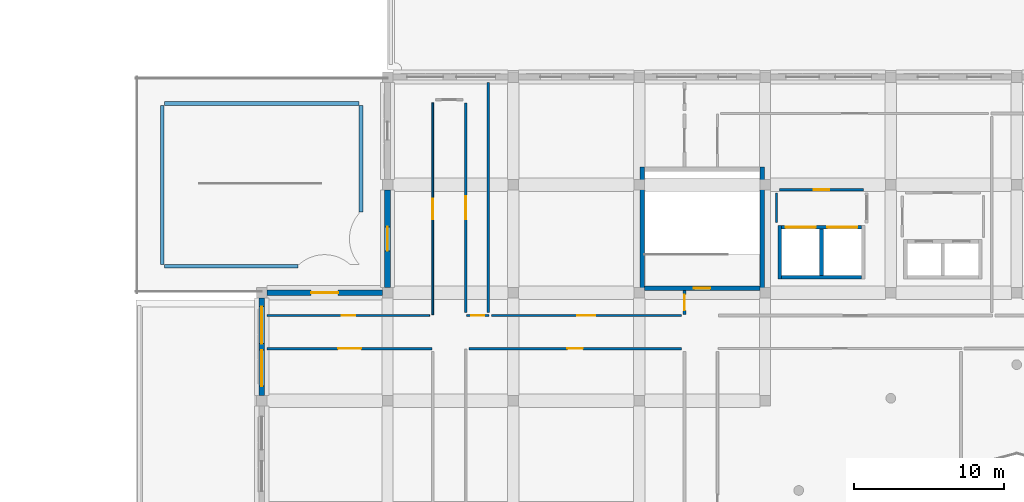
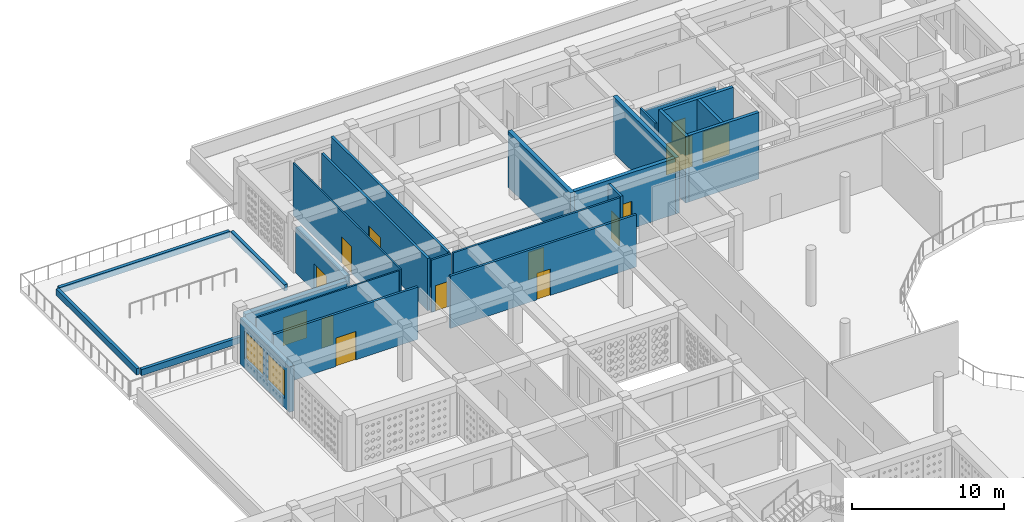
# One storey, part 12 of 47: 25 walls, 14 doors, 2 windows, 16 openings.
"""IFC4 building model written with IfcOpenShell, lengths in metres."""

from ifc_helpers import new_model, si_unit, derived_unit, direction, frame, frame_2d, origin, place, context, subcontext, project, spatial, rectangle, extrude, material, layer, layer_set, type_object, element, fill, save


model = new_model("IFC4")

# Units and contexts
model_context = context("Model", 3, precision=1e-05, world=origin(), true_north=direction((0.0, 1.0)))
body_context = subcontext(model_context, "Body", "Model", "MODEL_VIEW")
ifc_project = project(units=[si_unit("LENGTHUNIT", "METRE"), si_unit("AREAUNIT", "SQUARE_METRE"), si_unit("VOLUMEUNIT", "CUBIC_METRE"), si_unit("PLANEANGLEUNIT", "RADIAN"), si_unit("MASSUNIT", "GRAM", prefix="KILO"), derived_unit("THERMALTRANSMITTANCEUNIT", [(si_unit("POWERUNIT", "WATT"), 1), (si_unit("LENGTHUNIT", "METRE"), -2), (si_unit("THERMODYNAMICTEMPERATUREUNIT", "KELVIN"), -1)])], contexts=[model_context])

# Site, building, storey
site_placement = place(None, origin())
site = spatial("IfcSite", under=ifc_project, at=site_placement, CompositionType="ELEMENT")
building_placement = place(site_placement, origin())
building = spatial("IfcBuilding", under=site, at=building_placement, Name="Veybourne Emporium", CompositionType="ELEMENT")
storey_placement = place(building_placement, frame((0.0, 0.0, 23.39990234375)))
storey = spatial("IfcBuildingStorey", under=building, at=storey_placement, Name="L05", CompositionType="ELEMENT", Elevation=23.39990234375)

# Wall, opening, door
ifc_material_1 = material(Name="Portland Limestone Ashlar", Category="masonry")
ifc_layer_1 = layer(ifc_material_1, 0.3798828125)
ifc_layer_set_1 = layer_set([ifc_layer_1], Name="Portland Limestone Ashlar")
wall_type_1 = type_object("IfcWallType", Name="ExtWall_EW-03", PredefinedType="SOLIDWALL", material=ifc_layer_set_1)
wall_1_placement = place(storey_placement, frame((25.550048828125, 72.0, 0.0), z_axis=(0.0, 0.0, 1.0), x_axis=(1.0, 0.0, 0.0)))
wall_1 = element("IfcWall", 1, at=wall_1_placement, inside=storey, type_object=wall_type_1, Name="L05 terrace facade wall 018", PredefinedType="SOLIDWALL", context=body_context, shape_type="SweptSolid", body=[
    extrude(rectangle(XDim=7.699951171875, YDim=0.3798828125, at=frame_2d((3.85009765625, 0.0))), origin(), (0.0, 0.0, 1.0), 3.66015625),
])
opening_1_placement = place(wall_1_placement, frame((2.949951171875, 0.0, 0.0)))
opening_1 = element("IfcOpeningElement", 2, at=opening_1_placement, cuts=wall_1, Name="Opening TD-01", PredefinedType="OPENING", context=body_context, shape_type="SweptSolid", body=[
    extrude(rectangle(XDim=1.800048828125, YDim=2.25, at=frame_2d((0.89990234375, 1.125))), frame((0.0, 0.2099609375, 0.0), z_axis=(0.0, -1.0, 0.0), x_axis=(1.0, 0.0, 0.0)), (0.0, 0.0, 1.0), 0.419921875),
])
ifc_material_2 = material(Name="Patinated Architectural Bronze", Category="bronze")
door_type_1 = type_object("IfcDoorType", Name="TerrDoor_TD-01", OperationType="NOTDEFINED", PredefinedType="DOOR", material=ifc_material_2)
door_1_placement = place(opening_1_placement, origin())
door_1 = element("IfcDoor", 3, at=door_1_placement, inside=storey, type_object=door_type_1, Name="L05 roof-garden terrace door 01", OperationType="SINGLE_SWING_RIGHT", OverallHeight=2.25, OverallWidth=1.800048828125, PredefinedType="DOOR", context=body_context, shape_type="SweptSolid", body=[
    extrude(rectangle(XDim=1.800048828125, YDim=2.25, at=frame_2d((0.89990234375, 1.125))), frame((0.0, 0.02490234375, 0.0), z_axis=(0.0, -1.0, 0.0), x_axis=(1.0, 0.0, 0.0)), (0.0, 0.0, 1.0), 0.050048828125),
])
fill(opening_1, door_1)

# Wall, openings, windows
wall_2_placement = place(storey_placement, frame((25.199951171875, 65.14990234375, 0.0), z_axis=(0.0, 0.0, 1.0), x_axis=(0.0, 1.0, 0.0)))
wall_2 = element("IfcWall", 4, at=wall_2_placement, inside=storey, type_object=wall_type_1, Name="L05 Portland stone external wall 019", PredefinedType="SOLIDWALL", context=body_context, shape_type="SweptSolid", body=[
    extrude(rectangle(XDim=6.5, YDim=0.3798828125, at=frame_2d((3.25, 0.0))), origin(), (0.0, 0.0, 1.0), 3.66015625),
])
opening_2_placement = place(wall_2_placement, frame((0.6201171875, 0.0, 0.75)))
opening_2 = element("IfcOpeningElement", 5, at=opening_2_placement, cuts=wall_2, Name="Opening W-23", PredefinedType="OPENING", context=body_context, shape_type="SweptSolid", body=[
    extrude(rectangle(XDim=2.39990234375, YDim=2.260009765625, at=frame_2d((1.199951171875, 1.1298828125))), frame((0.0, 0.2099609375, 0.0), z_axis=(0.0, -1.0, 0.0), x_axis=(1.0, 0.0, 0.0)), (0.0, 0.0, 1.0), 0.419921875),
])
opening_3_placement = place(wall_2_placement, frame((3.445068359375, 0.0, 0.75)))
opening_3 = element("IfcOpeningElement", 6, at=opening_3_placement, cuts=wall_2, Name="Opening W-24", PredefinedType="OPENING", context=body_context, shape_type="SweptSolid", body=[
    extrude(rectangle(XDim=2.469970703125, YDim=2.260009765625, at=frame_2d((1.23486328125, 1.1298828125))), frame((0.0, 0.2099609375, 0.0), z_axis=(0.0, -1.0, 0.0), x_axis=(1.0, 0.0, 0.0)), (0.0, 0.0, 1.0), 0.419921875),
])
ifc_material_3 = material(Name="Low-E Triple Glazing", Category="glass")
window_type_1 = type_object("IfcWindowType", Name="Win_W-23", PartitioningType="TRIPLE_PANEL_VERTICAL", PredefinedType="WINDOW", material=ifc_material_3)
window_1_placement = place(opening_2_placement, origin())
window_1 = element("IfcWindow", 7, at=window_1_placement, inside=storey, type_object=window_type_1, Name="L05 tripartite bronze casement window W-23 (19.1)", OverallHeight=2.260009765625, OverallWidth=2.39990234375, PartitioningType="TRIPLE_PANEL_VERTICAL", PredefinedType="WINDOW", context=body_context, shape_type="SweptSolid", body=[
    extrude(rectangle(XDim=2.39990234375, YDim=2.260009765625, at=frame_2d((1.199951171875, 1.1298828125))), frame((0.0, 0.030029296875, 0.0), z_axis=(0.0, -1.0, 0.0), x_axis=(1.0, 0.0, 0.0)), (0.0, 0.0, 1.0), 0.06005859375),
])
fill(opening_2, window_1)
window_type_2 = type_object("IfcWindowType", Name="Win_W-24", PartitioningType="TRIPLE_PANEL_VERTICAL", PredefinedType="WINDOW", material=ifc_material_3)
window_2_placement = place(opening_3_placement, origin())
window_2 = element("IfcWindow", 8, at=window_2_placement, inside=storey, type_object=window_type_2, Name="L05 tripartite bronze casement window W-24 (19.2)", OverallHeight=2.260009765625, OverallWidth=2.469970703125, PartitioningType="TRIPLE_PANEL_VERTICAL", PredefinedType="WINDOW", context=body_context, shape_type="SweptSolid", body=[
    extrude(rectangle(XDim=2.469970703125, YDim=2.260009765625, at=frame_2d((1.23486328125, 1.1298828125))), frame((0.0, 0.030029296875, 0.0), z_axis=(0.0, -1.0, 0.0), x_axis=(1.0, 0.0, 0.0)), (0.0, 0.0, 1.0), 0.06005859375),
])
fill(opening_3, window_2)

# Wall, opening, door
wall_3_placement = place(storey_placement, frame((33.60009765625, 72.35009765625, 0.0), z_axis=(0.0, 0.0, 1.0), x_axis=(0.0, 1.0, 0.0)))
wall_3 = element("IfcWall", 9, at=wall_3_placement, inside=storey, type_object=wall_type_1, Name="L05 terrace facade wall 023", PredefinedType="SOLIDWALL", context=body_context, shape_type="SweptSolid", body=[
    extrude(rectangle(XDim=6.5, YDim=0.3798828125, at=frame_2d((3.25, 0.0))), origin(), (0.0, 0.0, 1.0), 3.66015625),
])
opening_4_placement = place(wall_3_placement, frame((2.449951171875, 0.0, 0.0)))
opening_4 = element("IfcOpeningElement", 10, at=opening_4_placement, cuts=wall_3, Name="Opening TD-02", PredefinedType="OPENING", context=body_context, shape_type="SweptSolid", body=[
    extrude(rectangle(XDim=1.60009765625, YDim=2.199951171875, at=frame_2d((0.800048828125, 1.10009765625))), frame((0.0, 0.2099609375, 0.0), z_axis=(0.0, -1.0, 0.0), x_axis=(1.0, 0.0, 0.0)), (0.0, 0.0, 1.0), 0.419921875),
])
door_type_2 = type_object("IfcDoorType", Name="TerrDoor_TD-02", OperationType="NOTDEFINED", PredefinedType="DOOR", material=ifc_material_2)
door_2_placement = place(opening_4_placement, origin())
door_2 = element("IfcDoor", 11, at=door_2_placement, inside=storey, type_object=door_type_2, Name="L05 roof-garden terrace door 02", OperationType="SINGLE_SWING_LEFT", OverallHeight=2.199951171875, OverallWidth=1.60009765625, PredefinedType="DOOR", context=body_context, shape_type="SweptSolid", body=[
    extrude(rectangle(XDim=1.60009765625, YDim=2.199951171875, at=frame_2d((0.800048828125, 1.10009765625))), frame((0.0, 0.02490234375, 0.0), z_axis=(0.0, -1.0, 0.0), x_axis=(1.0, 0.0, 0.0)), (0.0, 0.0, 1.0), 0.050048828125),
])
fill(opening_4, door_2)

# Walls
ifc_material_4 = material(Name="Precast concrete C40/50", Category="concrete")
ifc_layer_2 = layer(ifc_material_4, 0.239990234375)
ifc_layer_set_2 = layer_set([ifc_layer_2], Name="Precast concrete C40/50")
wall_type_2 = type_object("IfcWallType", Name="ExtWall_PW-02", PredefinedType="PARAPET", material=ifc_layer_set_2)
wall_4_placement = place(storey_placement, frame((27.621826171875, 73.77001953125, 0.0), z_axis=(0.0, 0.0, 1.0), x_axis=(-1.0, 0.0, 0.0)))
element("IfcWall", 12, at=wall_4_placement, inside=storey, type_object=wall_type_2, Name="L05 planted roof-garden kerb 001", PredefinedType="PARAPET", context=body_context, shape_type="SweptSolid", body=[
    extrude(rectangle(XDim=8.921875, YDim=0.239990234375, at=frame_2d((4.4609375, 0.0))), origin(), (0.0, 0.0, 1.0), 0.5),
])
wall_5_placement = place(storey_placement, frame((18.570068359375, 73.89990234375, 0.0), z_axis=(0.0, 0.0, 1.0), x_axis=(0.0, 1.0, 0.0)))
element("IfcWall", 13, at=wall_5_placement, inside=storey, type_object=wall_type_2, Name="L05 planted roof-garden kerb 002", PredefinedType="PARAPET", context=body_context, shape_type="SweptSolid", body=[
    extrude(rectangle(XDim=10.60009765625, YDim=0.239990234375, at=frame_2d((5.300048828125, 0.0))), origin(), (0.0, 0.0, 1.0), 0.5),
])
wall_6_placement = place(storey_placement, frame((18.699951171875, 84.6298828125, 0.0), z_axis=(0.0, 0.0, 1.0), x_axis=(1.0, 0.0, 0.0)))
element("IfcWall", 14, at=wall_6_placement, inside=storey, type_object=wall_type_2, Name="L05 planted roof-garden kerb 003", PredefinedType="PARAPET", context=body_context, shape_type="SweptSolid", body=[
    extrude(rectangle(XDim=13.0, YDim=0.239990234375, at=frame_2d((6.5, 0.0))), origin(), (0.0, 0.0, 1.0), 0.5),
])
wall_7_placement = place(storey_placement, frame((31.830078125, 84.5, 0.0), z_axis=(0.0, 0.0, 1.0), x_axis=(0.0, -1.0, 0.0)))
element("IfcWall", 15, at=wall_7_placement, inside=storey, type_object=wall_type_2, Name="L05 planted roof-garden kerb 004", PredefinedType="PARAPET", context=body_context, shape_type="SweptSolid", body=[
    extrude(rectangle(XDim=7.121826171875, YDim=0.239990234375, at=frame_2d((3.56103515625, 0.0))), origin(), (0.0, 0.0, 1.0), 0.5),
])

# Wall, opening, door
ifc_material_5 = material(Name="Concrete C40/50", Category="concrete")
ifc_layer_3 = layer(ifc_material_5, 0.300048828125)
ifc_layer_set_3 = layer_set([ifc_layer_3], Name="Concrete C40/50")
wall_type_3 = type_object("IfcWallType", Name="IntWall_CW-03", PredefinedType="SHEAR", material=ifc_layer_set_3)
wall_8_placement = place(storey_placement, frame((58.449951171875, 72.300048828125, 0.0), z_axis=(0.0, 0.0, 1.0), x_axis=(-1.0, 0.0, 0.0)))
wall_8 = element("IfcWall", 16, at=wall_8_placement, inside=storey, type_object=wall_type_3, Name="Core stair ST-03 south shear wall (L05)", PredefinedType="SHEAR", context=body_context, shape_type="SweptSolid", body=[
    extrude(rectangle(XDim=7.699951171875, YDim=0.300048828125, at=frame_2d((3.85009765625, 0.0))), origin(), (0.0, 0.0, 1.0), 4.5),
])
opening_5_placement = place(wall_8_placement, frame((3.300048828125, 0.0, 0.0)))
opening_5 = element("IfcOpeningElement", 17, at=opening_5_placement, cuts=wall_8, Name="Opening FD-01", PredefinedType="OPENING", context=body_context, shape_type="SweptSolid", body=[
    extrude(rectangle(XDim=1.10009765625, YDim=2.199951171875, at=frame_2d((0.550048828125, 1.10009765625))), frame((0.0, 0.169921875, 0.0), z_axis=(0.0, -1.0, 0.0), x_axis=(1.0, 0.0, 0.0)), (0.0, 0.0, 1.0), 0.340087890625),
])
door_type_3 = type_object("IfcDoorType", Name="FireDoor_FD-01", OperationType="NOTDEFINED", PredefinedType="DOOR", material=ifc_material_2)
door_3_placement = place(opening_5_placement, origin())
door_3 = element("IfcDoor", 18, at=door_3_placement, inside=storey, type_object=door_type_3, Name="Stair ST-03 fire door (L05)", OperationType="SINGLE_SWING_RIGHT", OverallHeight=2.199951171875, OverallWidth=1.10009765625, PredefinedType="DOOR", context=body_context, shape_type="SweptSolid", body=[
    extrude(rectangle(XDim=1.10009765625, YDim=2.199951171875, at=frame_2d((0.550048828125, 1.10009765625))), frame((0.0, 0.02490234375, 0.0), z_axis=(0.0, -1.0, 0.0), x_axis=(1.0, 0.0, 0.0)), (0.0, 0.0, 1.0), 0.050048828125),
])
fill(opening_5, door_3)

# Walls
for number, where, z_axis, x_axis, name in (
    (19, (50.60009765625, 80.39990234375, 0.0), (0.0, 0.0, 1.0), (0.0, -1.0, 0.0), "Core stair ST-03 west shear wall (L05)"),
    (20, (58.60009765625, 72.14990234375, 0.0), (0.0, 0.0, 1.0), (0.0, 1.0, 0.0), "Core stair ST-03 east shear wall (L05)"),
):
    element("IfcWall", number, at=place(storey_placement, frame(where, z_axis=z_axis, x_axis=x_axis)), inside=storey, type_object=wall_type_3, Name=name, PredefinedType="SHEAR", context=body_context, shape_type="SweptSolid", body=[
        extrude(rectangle(XDim=8.25, YDim=0.300048828125, at=frame_2d((4.125, 0.0))), origin(), (0.0, 0.0, 1.0), 4.5),
    ])

# Wall, openings, doors
ifc_layer_4 = layer(ifc_material_5, 0.239990234375)
ifc_layer_set_4 = layer_set([ifc_layer_4], Name="Concrete C40/50")
wall_type_4 = type_object("IfcWallType", Name="IntWall_CW-04", PredefinedType="SHEAR", material=ifc_layer_set_4)
wall_9_placement = place(storey_placement, frame((65.239990234375, 76.3701171875, 0.0), z_axis=(0.0, 0.0, 1.0), x_axis=(-1.0, 0.0, 0.0)))
wall_9 = element("IfcWall", 21, at=wall_9_placement, inside=storey, type_object=wall_type_4, Name="Lift core C4G north shaft wall (L05)", PredefinedType="SHEAR", context=body_context, shape_type="SweptSolid", body=[
    extrude(rectangle(XDim=5.340087890625, YDim=0.239990234375, at=frame_2d((2.669921875, 0.0))), origin(), (0.0, 0.0, 1.0), 5.35009765625),
])
opening_6_placement = place(wall_9_placement, frame((3.06494140625, 0.0, 0.0)))
opening_6 = element("IfcOpeningElement", 22, at=opening_6_placement, cuts=wall_9, Name="Opening LD-03", PredefinedType="OPENING", context=body_context, shape_type="SweptSolid", body=[
    extrude(rectangle(XDim=2.0, YDim=2.5, at=frame_2d((1.0, 1.25))), frame((0.0, 0.14013671875, 0.0), z_axis=(0.0, -1.0, 0.0), x_axis=(1.0, 0.0, 0.0)), (0.0, 0.0, 1.0), 0.280029296875),
])
opening_7_placement = place(wall_9_placement, frame((0.27490234375, 0.0, 0.0)))
opening_7 = element("IfcOpeningElement", 23, at=opening_7_placement, cuts=wall_9, Name="Opening LD-03", PredefinedType="OPENING", context=body_context, shape_type="SweptSolid", body=[
    extrude(rectangle(XDim=2.0, YDim=2.5, at=frame_2d((1.0, 1.25))), frame((0.0, 0.14013671875, 0.0), z_axis=(0.0, -1.0, 0.0), x_axis=(1.0, 0.0, 0.0)), (0.0, 0.0, 1.0), 0.280029296875),
])
door_type_4 = type_object("IfcDoorType", Name="FireDoor_LD-03", OperationType="DOUBLE_DOOR_SLIDING", PredefinedType="DOOR", material=ifc_material_2)
door_4_placement = place(opening_6_placement, origin())
door_4 = element("IfcDoor", 24, at=door_4_placement, inside=storey, type_object=door_type_4, Name="Lift GL-01 sliding landing door (L05)", OperationType="DOUBLE_DOOR_SLIDING", OverallHeight=2.5, OverallWidth=2.0, PredefinedType="DOOR", context=body_context, shape_type="SweptSolid", body=[
    extrude(rectangle(XDim=2.0, YDim=2.5, at=frame_2d((1.0, 1.25))), frame((0.0, 0.02490234375, 0.0), z_axis=(0.0, -1.0, 0.0), x_axis=(1.0, 0.0, 0.0)), (0.0, 0.0, 1.0), 0.050048828125),
])
fill(opening_6, door_4)
door_5_placement = place(opening_7_placement, origin())
door_5 = element("IfcDoor", 25, at=door_5_placement, inside=storey, type_object=door_type_4, Name="Lift GL-02 sliding landing door (L05)", OperationType="DOUBLE_DOOR_SLIDING", OverallHeight=2.5, OverallWidth=2.0, PredefinedType="DOOR", context=body_context, shape_type="SweptSolid", body=[
    extrude(rectangle(XDim=2.0, YDim=2.5, at=frame_2d((1.0, 1.25))), frame((0.0, 0.02490234375, 0.0), z_axis=(0.0, -1.0, 0.0), x_axis=(1.0, 0.0, 0.0)), (0.0, 0.0, 1.0), 0.050048828125),
])
fill(opening_7, door_5)

# Walls
wall_10_placement = place(storey_placement, frame((59.89990234375, 73.030029296875, 0.0), z_axis=(0.0, 0.0, 1.0), x_axis=(1.0, 0.0, 0.0)))
element("IfcWall", 26, at=wall_10_placement, inside=storey, type_object=wall_type_4, Name="Lift core C4G south shaft wall (L05)", PredefinedType="SHEAR", context=body_context, shape_type="SweptSolid", body=[
    extrude(rectangle(XDim=5.340087890625, YDim=0.239990234375, at=frame_2d((2.669921875, 0.0))), origin(), (0.0, 0.0, 1.0), 5.35009765625),
])
wall_11_placement = place(storey_placement, frame((59.780029296875, 76.489990234375, 0.0), z_axis=(0.0, 0.0, 1.0), x_axis=(0.0, -1.0, 0.0)))
element("IfcWall", 27, at=wall_11_placement, inside=storey, type_object=wall_type_4, Name="Lift core C4G west shaft wall (L05)", PredefinedType="SHEAR", context=body_context, shape_type="SweptSolid", body=[
    extrude(rectangle(XDim=3.580078125, YDim=0.239990234375, at=frame_2d((1.7900390625, 0.0))), origin(), (0.0, 0.0, 1.0), 5.35009765625),
])
wall_12_placement = place(storey_placement, frame((62.570068359375, 73.14990234375, 0.0), z_axis=(0.0, 0.0, 1.0), x_axis=(0.0, 1.0, 0.0)))
element("IfcWall", 28, at=wall_12_placement, inside=storey, type_object=wall_type_4, Name="Lift core C4G divider wall 1 (L05)", PredefinedType="SHEAR", context=body_context, shape_type="SweptSolid", body=[
    extrude(rectangle(XDim=3.10009765625, YDim=0.239990234375, at=frame_2d((1.550048828125, 0.0))), origin(), (0.0, 0.0, 1.0), 5.35009765625),
])

# Wall, opening, door
ifc_material_6 = material(Name="Gypsum Acoustic Board", Category="gypsum")
ifc_layer_5 = layer(ifc_material_6, 0.179931640625)
ifc_layer_set_5 = layer_set([ifc_layer_5], Name="Gypsum Acoustic Board")
wall_type_5 = type_object("IfcWallType", Name="IntWall_IW-01", PredefinedType="PARTITIONING", material=ifc_layer_set_5)
wall_13_placement = place(storey_placement, frame((39.0400390625, 68.27001953125, 0.0), z_axis=(0.0, 0.0, 1.0), x_axis=(1.0, 0.0, 0.0)))
wall_13 = element("IfcWall", 29, at=wall_13_placement, inside=storey, type_object=wall_type_5, Name="L05 interior partition IW-01 #018", PredefinedType="PARTITIONING", context=body_context, shape_type="SweptSolid", body=[
    extrude(rectangle(XDim=14.169921875, YDim=0.179931640625, at=frame_2d((7.0849609375, 0.0))), origin(), (0.0, 0.0, 1.0), 4.210205078125),
])
opening_8_placement = place(wall_13_placement, frame((6.56494140625, 0.0, 0.0)))
opening_8 = element("IfcOpeningElement", 30, at=opening_8_placement, cuts=wall_13, Name="Opening D-08", PredefinedType="OPENING", context=body_context, shape_type="SweptSolid", body=[
    extrude(rectangle(XDim=1.0400390625, YDim=2.1298828125, at=frame_2d((0.52001953125, 1.06494140625))), frame((0.0, 0.10986328125, 0.0), z_axis=(0.0, -1.0, 0.0), x_axis=(1.0, 0.0, 0.0)), (0.0, 0.0, 1.0), 0.219970703125),
])
ifc_material_7 = material(Name="European Oak Veneer and Bronze", Category="wood")
door_type_5 = type_object("IfcDoorType", Name="IntDoor_D-08", OperationType="NOTDEFINED", PredefinedType="DOOR", material=ifc_material_7)
door_6_placement = place(opening_8_placement, origin())
door_6 = element("IfcDoor", 31, at=door_6_placement, inside=storey, type_object=door_type_5, Name="L05 interior door D-08 (PART-L05-018)", OperationType="SINGLE_SWING_LEFT", OverallHeight=2.1298828125, OverallWidth=1.0400390625, PredefinedType="DOOR", context=body_context, shape_type="SweptSolid", body=[
    extrude(rectangle(XDim=1.0400390625, YDim=2.1298828125, at=frame_2d((0.52001953125, 1.06494140625))), frame((0.0, 0.02490234375, 0.0), z_axis=(0.0, -1.0, 0.0), x_axis=(1.0, 0.0, 0.0)), (0.0, 0.0, 1.0), 0.050048828125),
])
fill(opening_8, door_6)

wall_14_placement = place(storey_placement, frame((38.830078125, 70.68994140625, 0.0), z_axis=(0.0, 0.0, 1.0), x_axis=(0.0, 1.0, 0.0)))
wall_14 = element("IfcWall", 32, at=wall_14_placement, inside=storey, type_object=wall_type_5, Name="L05 interior partition IW-01 #021", PredefinedType="PARTITIONING", context=body_context, shape_type="SweptSolid", body=[
    extrude(rectangle(XDim=13.97998046875, YDim=0.179931640625, at=frame_2d((6.989990234375, 0.0))), origin(), (0.0, 0.0, 1.0), 4.210205078125),
])
opening_9_placement = place(wall_14_placement, frame((6.22998046875, 0.0, 0.0)))
opening_9 = element("IfcOpeningElement", 33, at=opening_9_placement, cuts=wall_14, Name="Opening D-11", PredefinedType="OPENING", context=body_context, shape_type="SweptSolid", body=[
    extrude(rectangle(XDim=1.52001953125, YDim=2.1298828125, at=frame_2d((0.760009765625, 1.06494140625))), frame((0.0, 0.10986328125, 0.0), z_axis=(0.0, -1.0, 0.0), x_axis=(1.0, 0.0, 0.0)), (0.0, 0.0, 1.0), 0.219970703125),
])
door_type_6 = type_object("IfcDoorType", Name="IntDoor_D-11", OperationType="NOTDEFINED", PredefinedType="DOOR", material=ifc_material_7)
door_7_placement = place(opening_9_placement, origin())
door_7 = element("IfcDoor", 34, at=door_7_placement, inside=storey, type_object=door_type_6, Name="L05 interior door D-11 (PART-L05-021)", OperationType="SINGLE_SWING_RIGHT", OverallHeight=2.1298828125, OverallWidth=1.52001953125, PredefinedType="DOOR", context=body_context, shape_type="SweptSolid", body=[
    extrude(rectangle(XDim=1.52001953125, YDim=2.1298828125, at=frame_2d((0.760009765625, 1.06494140625))), frame((0.0, 0.02490234375, 0.0), z_axis=(0.0, -1.0, 0.0), x_axis=(1.0, 0.0, 0.0)), (0.0, 0.0, 1.0), 0.050048828125),
])
fill(opening_9, door_7)

wall_15_placement = place(storey_placement, frame((25.570068359375, 68.27001953125, 0.0), z_axis=(0.0, 0.0, 1.0), x_axis=(1.0, 0.0, 0.0)))
wall_15 = element("IfcWall", 35, at=wall_15_placement, inside=storey, type_object=wall_type_5, Name="L05 interior partition IW-01 #033", PredefinedType="PARTITIONING", context=body_context, shape_type="SweptSolid", body=[
    extrude(rectangle(XDim=11.0, YDim=0.179931640625, at=frame_2d((5.5, 0.0))), origin(), (0.0, 0.0, 1.0), 4.210205078125),
])
opening_10_placement = place(wall_15_placement, frame((4.739990234375, 0.0, 0.0)))
opening_10 = element("IfcOpeningElement", 36, at=opening_10_placement, cuts=wall_15, Name="Opening D-23", PredefinedType="OPENING", context=body_context, shape_type="SweptSolid", body=[
    extrude(rectangle(XDim=1.52001953125, YDim=2.2900390625, at=frame_2d((0.760009765625, 1.14501953125))), frame((0.0, 0.10986328125, 0.0), z_axis=(0.0, -1.0, 0.0), x_axis=(1.0, 0.0, 0.0)), (0.0, 0.0, 1.0), 0.219970703125),
])
door_type_7 = type_object("IfcDoorType", Name="IntDoor_D-23", OperationType="NOTDEFINED", PredefinedType="DOOR", material=ifc_material_7)
door_8_placement = place(opening_10_placement, origin())
door_8 = element("IfcDoor", 37, at=door_8_placement, inside=storey, type_object=door_type_7, Name="L05 interior door D-23 (PART-L05-033)", OperationType="SINGLE_SWING_LEFT", OverallHeight=2.2900390625, OverallWidth=1.52001953125, PredefinedType="DOOR", context=body_context, shape_type="SweptSolid", body=[
    extrude(rectangle(XDim=1.52001953125, YDim=2.2900390625, at=frame_2d((0.760009765625, 1.14501953125))), frame((0.0, 0.02490234375, 0.0), z_axis=(0.0, -1.0, 0.0), x_axis=(1.0, 0.0, 0.0)), (0.0, 0.0, 1.0), 0.050048828125),
])
fill(opening_10, door_8)

wall_16_placement = place(storey_placement, frame((59.780029296875, 78.8798828125, 0.0), z_axis=(0.0, 0.0, 1.0), x_axis=(1.0, 0.0, 0.0)))
wall_16 = element("IfcWall", 38, at=wall_16_placement, inside=storey, type_object=wall_type_5, Name="L05 interior partition IW-01 #048", PredefinedType="PARTITIONING", context=body_context, shape_type="SweptSolid", body=[
    extrude(rectangle(XDim=5.590087890625, YDim=0.179931640625, at=frame_2d((2.794921875, 0.0))), origin(), (0.0, 0.0, 1.0), 3.760009765625),
])
opening_11_placement = place(wall_16_placement, frame((2.27490234375, 0.0, 0.0)))
opening_11 = element("IfcOpeningElement", 39, at=opening_11_placement, cuts=wall_16, Name="Opening D-02", PredefinedType="OPENING", context=body_context, shape_type="SweptSolid", body=[
    extrude(rectangle(XDim=1.0400390625, YDim=2.050048828125, at=frame_2d((0.52001953125, 1.02490234375))), frame((0.0, 0.10986328125, 0.0), z_axis=(0.0, -1.0, 0.0), x_axis=(1.0, 0.0, 0.0)), (0.0, 0.0, 1.0), 0.219970703125),
])
door_type_8 = type_object("IfcDoorType", Name="IntDoor_D-02", OperationType="NOTDEFINED", PredefinedType="DOOR", material=ifc_material_7)
door_9_placement = place(opening_11_placement, origin())
door_9 = element("IfcDoor", 40, at=door_9_placement, inside=storey, type_object=door_type_8, Name="L05 interior door D-02 (PART-L05-048)", OperationType="SINGLE_SWING_LEFT", OverallHeight=2.050048828125, OverallWidth=1.0400390625, PredefinedType="DOOR", context=body_context, shape_type="SweptSolid", body=[
    extrude(rectangle(XDim=1.0400390625, YDim=2.050048828125, at=frame_2d((0.52001953125, 1.02490234375))), frame((0.0, 0.02490234375, 0.0), z_axis=(0.0, -1.0, 0.0), x_axis=(1.0, 0.0, 0.0)), (0.0, 0.0, 1.0), 0.050048828125),
])
fill(opening_11, door_9)

wall_17_placement = place(storey_placement, frame((53.419921875, 70.530029296875, 0.0), z_axis=(0.0, 0.0, 1.0), x_axis=(0.0, 1.0, 0.0)))
wall_17 = element("IfcWall", 41, at=wall_17_placement, inside=storey, type_object=wall_type_5, Name="L05 interior partition IW-01 #096", PredefinedType="PARTITIONING", context=body_context, shape_type="SweptSolid", body=[
    extrude(rectangle(XDim=1.6298828125, YDim=0.179931640625, at=frame_2d((0.81494140625, 0.0))), origin(), (0.0, 0.0, 1.0), 4.210205078125),
])
opening_12_placement = place(wall_17_placement, frame((0.294921875, 0.0, 0.0)))
opening_12 = element("IfcOpeningElement", 42, at=opening_12_placement, cuts=wall_17, Name="Opening D-14", PredefinedType="OPENING", context=body_context, shape_type="SweptSolid", body=[
    extrude(rectangle(XDim=1.0400390625, YDim=2.2099609375, at=frame_2d((0.52001953125, 1.10498046875))), frame((0.0, 0.10986328125, 0.0), z_axis=(0.0, -1.0, 0.0), x_axis=(1.0, 0.0, 0.0)), (0.0, 0.0, 1.0), 0.219970703125),
])
door_type_9 = type_object("IfcDoorType", Name="IntDoor_D-14", OperationType="NOTDEFINED", PredefinedType="DOOR", material=ifc_material_7)
door_10_placement = place(opening_12_placement, origin())
door_10 = element("IfcDoor", 43, at=door_10_placement, inside=storey, type_object=door_type_9, Name="L05 interior door D-14 (PART-L05-096)", OperationType="SINGLE_SWING_RIGHT", OverallHeight=2.2099609375, OverallWidth=1.0400390625, PredefinedType="DOOR", context=body_context, shape_type="SweptSolid", body=[
    extrude(rectangle(XDim=1.0400390625, YDim=2.2099609375, at=frame_2d((0.52001953125, 1.10498046875))), frame((0.0, 0.02490234375, 0.0), z_axis=(0.0, -1.0, 0.0), x_axis=(1.0, 0.0, 0.0)), (0.0, 0.0, 1.0), 0.050048828125),
])
fill(opening_12, door_10)

# Wall
wall_18_placement = place(storey_placement, frame((40.330078125, 70.68994140625, 0.0), z_axis=(0.0, 0.0, 1.0), x_axis=(0.0, 1.0, 0.0)))
element("IfcWall", 44, at=wall_18_placement, inside=storey, type_object=wall_type_5, Name="L05 interior partition IW-01 #099", PredefinedType="PARTITIONING", context=body_context, shape_type="SweptSolid", body=[
    extrude(rectangle(XDim=15.340087890625, YDim=0.179931640625, at=frame_2d((7.669921875, 0.0))), origin(), (0.0, 0.0, 1.0), 4.210205078125),
])

# Wall, opening, door
ifc_layer_6 = layer(ifc_material_6, 0.14990234375)
ifc_layer_set_6 = layer_set([ifc_layer_6], Name="Gypsum Acoustic Board")
wall_type_6 = type_object("IfcWallType", Name="IntWall_IW-02", PredefinedType="PARTITIONING", material=ifc_layer_set_6)
wall_19_placement = place(storey_placement, frame((40.5400390625, 70.47998046875, 0.0), z_axis=(0.0, 0.0, 1.0), x_axis=(1.0, 0.0, 0.0)))
wall_19 = element("IfcWall", 45, at=wall_19_placement, inside=storey, type_object=wall_type_6, Name="L05 interior partition IW-02 #025", PredefinedType="PARTITIONING", context=body_context, shape_type="SweptSolid", body=[
    extrude(rectangle(XDim=12.669921875, YDim=0.14990234375, at=frame_2d((6.3349609375, 0.0))), origin(), (0.0, 0.0, 1.0), 4.210205078125),
])
opening_13_placement = place(wall_19_placement, frame((5.735107421875, 0.0, 0.0)))
opening_13 = element("IfcOpeningElement", 46, at=opening_13_placement, cuts=wall_19, Name="Opening D-15", PredefinedType="OPENING", context=body_context, shape_type="SweptSolid", body=[
    extrude(rectangle(XDim=1.199951171875, YDim=2.2099609375, at=frame_2d((0.60009765625, 1.10498046875))), frame((0.0, 0.094970703125, 0.0), z_axis=(0.0, -1.0, 0.0), x_axis=(1.0, 0.0, 0.0)), (0.0, 0.0, 1.0), 0.18994140625),
])
door_type_10 = type_object("IfcDoorType", Name="IntDoor_D-15", OperationType="NOTDEFINED", PredefinedType="DOOR", material=ifc_material_7)
door_11_placement = place(opening_13_placement, origin())
door_11 = element("IfcDoor", 47, at=door_11_placement, inside=storey, type_object=door_type_10, Name="L05 interior door D-15 (PART-L05-025)", OperationType="SINGLE_SWING_LEFT", OverallHeight=2.2099609375, OverallWidth=1.199951171875, PredefinedType="DOOR", context=body_context, shape_type="SweptSolid", body=[
    extrude(rectangle(XDim=1.199951171875, YDim=2.2099609375, at=frame_2d((0.60009765625, 1.10498046875))), frame((0.0, 0.02490234375, 0.0), z_axis=(0.0, -1.0, 0.0), x_axis=(1.0, 0.0, 0.0)), (0.0, 0.0, 1.0), 0.050048828125),
])
fill(opening_13, door_11)

# Wall
wall_20_placement = place(storey_placement, frame((59.570068359375, 76.672119140625, 0.0), z_axis=(0.0, 0.0, 1.0), x_axis=(0.0, 1.0, 0.0)))
element("IfcWall", 48, at=wall_20_placement, inside=storey, type_object=wall_type_6, Name="L05 interior partition IW-02 #082", PredefinedType="PARTITIONING", context=body_context, shape_type="SweptSolid", body=[
    extrude(rectangle(XDim=1.997802734375, YDim=0.14990234375, at=frame_2d((0.9990234375, 0.0))), origin(), (0.0, 0.0, 1.0), 4.210205078125),
])

# Wall, opening, door
wall_21_placement = place(storey_placement, frame((38.8798828125, 70.47998046875, 0.0), z_axis=(0.0, 0.0, 1.0), x_axis=(1.0, 0.0, 0.0)))
wall_21 = element("IfcWall", 49, at=wall_21_placement, inside=storey, type_object=wall_type_6, Name="L05 interior partition IW-02 #097", PredefinedType="PARTITIONING", context=body_context, shape_type="SweptSolid", body=[
    extrude(rectangle(XDim=1.5, YDim=0.14990234375, at=frame_2d((0.75, 0.0))), origin(), (0.0, 0.0, 1.0), 4.210205078125),
])
opening_14_placement = place(wall_21_placement, frame((0.31005859375, 0.0, 0.0)))
opening_14 = element("IfcOpeningElement", 50, at=opening_14_placement, cuts=wall_21, Name="Opening D-01", PredefinedType="OPENING", context=body_context, shape_type="SweptSolid", body=[
    extrude(rectangle(XDim=0.8798828125, YDim=2.050048828125, at=frame_2d((0.43994140625, 1.02490234375))), frame((0.0, 0.094970703125, 0.0), z_axis=(0.0, -1.0, 0.0), x_axis=(1.0, 0.0, 0.0)), (0.0, 0.0, 1.0), 0.18994140625),
])
door_type_11 = type_object("IfcDoorType", Name="IntDoor_D-01", OperationType="NOTDEFINED", PredefinedType="DOOR", material=ifc_material_7)
door_12_placement = place(opening_14_placement, origin())
door_12 = element("IfcDoor", 51, at=door_12_placement, inside=storey, type_object=door_type_11, Name="L05 interior door D-01 (PART-L05-097)", OperationType="SINGLE_SWING_LEFT", OverallHeight=2.050048828125, OverallWidth=0.8798828125, PredefinedType="DOOR", context=body_context, shape_type="SweptSolid", body=[
    extrude(rectangle(XDim=0.8798828125, YDim=2.050048828125, at=frame_2d((0.43994140625, 1.02490234375))), frame((0.0, 0.02490234375, 0.0), z_axis=(0.0, -1.0, 0.0), x_axis=(1.0, 0.0, 0.0)), (0.0, 0.0, 1.0), 0.050048828125),
])
fill(opening_14, door_12)

ifc_layer_7 = layer(ifc_material_6, 0.1201171875)
ifc_layer_set_7 = layer_set([ifc_layer_7], Name="Gypsum Acoustic Board")
wall_type_7 = type_object("IfcWallType", Name="IntWall_IW-03", PredefinedType="PARTITIONING", material=ifc_layer_set_7)
wall_22_placement = place(storey_placement, frame((36.6201171875, 70.530029296875, 0.0), z_axis=(0.0, 0.0, 1.0), x_axis=(0.0, 1.0, 0.0)))
wall_22 = element("IfcWall", 52, at=wall_22_placement, inside=storey, type_object=wall_type_7, Name="L05 interior partition IW-03 #020", PredefinedType="PARTITIONING", context=body_context, shape_type="SweptSolid", body=[
    extrude(rectangle(XDim=14.139892578125, YDim=0.1201171875, at=frame_2d((7.06982421875, 0.0))), origin(), (0.0, 0.0, 1.0), 4.210205078125),
])
opening_15_placement = place(wall_22_placement, frame((6.389892578125, 0.0, 0.0)))
opening_15 = element("IfcOpeningElement", 53, at=opening_15_placement, cuts=wall_22, Name="Opening D-10", PredefinedType="OPENING", context=body_context, shape_type="SweptSolid", body=[
    extrude(rectangle(XDim=1.360107421875, YDim=2.1298828125, at=frame_2d((0.68017578125, 1.06494140625))), frame((0.0, 0.080078125, 0.0), z_axis=(0.0, -1.0, 0.0), x_axis=(1.0, 0.0, 0.0)), (0.0, 0.0, 1.0), 0.16015625),
])
door_type_12 = type_object("IfcDoorType", Name="IntDoor_D-10", OperationType="NOTDEFINED", PredefinedType="DOOR", material=ifc_material_7)
door_13_placement = place(opening_15_placement, origin())
door_13 = element("IfcDoor", 54, at=door_13_placement, inside=storey, type_object=door_type_12, Name="L05 interior door D-10 (PART-L05-020)", OperationType="SINGLE_SWING_LEFT", OverallHeight=2.1298828125, OverallWidth=1.360107421875, PredefinedType="DOOR", context=body_context, shape_type="SweptSolid", body=[
    extrude(rectangle(XDim=1.360107421875, YDim=2.1298828125, at=frame_2d((0.68017578125, 1.06494140625))), frame((0.0, 0.02490234375, 0.0), z_axis=(0.0, -1.0, 0.0), x_axis=(1.0, 0.0, 0.0)), (0.0, 0.0, 1.0), 0.050048828125),
])
fill(opening_15, door_13)

wall_23_placement = place(storey_placement, frame((25.570068359375, 70.47998046875, 0.0), z_axis=(0.0, 0.0, 1.0), x_axis=(1.0, 0.0, 0.0)))
wall_23 = element("IfcWall", 55, at=wall_23_placement, inside=storey, type_object=wall_type_7, Name="L05 interior partition IW-03 #035", PredefinedType="PARTITIONING", context=body_context, shape_type="SweptSolid", body=[
    extrude(rectangle(XDim=10.83984375, YDim=0.1201171875, at=frame_2d((5.419921875, 0.0))), origin(), (0.0, 0.0, 1.0), 4.210205078125),
])
opening_16_placement = place(wall_23_placement, frame((4.97998046875, 0.0, 0.0)))
opening_16 = element("IfcOpeningElement", 56, at=opening_16_placement, cuts=wall_23, Name="Opening D-25", PredefinedType="OPENING", context=body_context, shape_type="SweptSolid", body=[
    extrude(rectangle(XDim=0.8798828125, YDim=2.3701171875, at=frame_2d((0.43994140625, 1.18505859375))), frame((0.0, 0.080078125, 0.0), z_axis=(0.0, -1.0, 0.0), x_axis=(1.0, 0.0, 0.0)), (0.0, 0.0, 1.0), 0.16015625),
])
door_type_13 = type_object("IfcDoorType", Name="IntDoor_D-25", OperationType="NOTDEFINED", PredefinedType="DOOR", material=ifc_material_7)
door_14_placement = place(opening_16_placement, origin())
door_14 = element("IfcDoor", 57, at=door_14_placement, inside=storey, type_object=door_type_13, Name="L05 interior door D-25 (PART-L05-035)", OperationType="SINGLE_SWING_RIGHT", OverallHeight=2.3701171875, OverallWidth=0.8798828125, PredefinedType="DOOR", context=body_context, shape_type="SweptSolid", body=[
    extrude(rectangle(XDim=0.8798828125, YDim=2.3701171875, at=frame_2d((0.43994140625, 1.18505859375))), frame((0.0, 0.02490234375, 0.0), z_axis=(0.0, -1.0, 0.0), x_axis=(1.0, 0.0, 0.0)), (0.0, 0.0, 1.0), 0.050048828125),
])
fill(opening_16, door_14)

save(model, "model.ifc")
